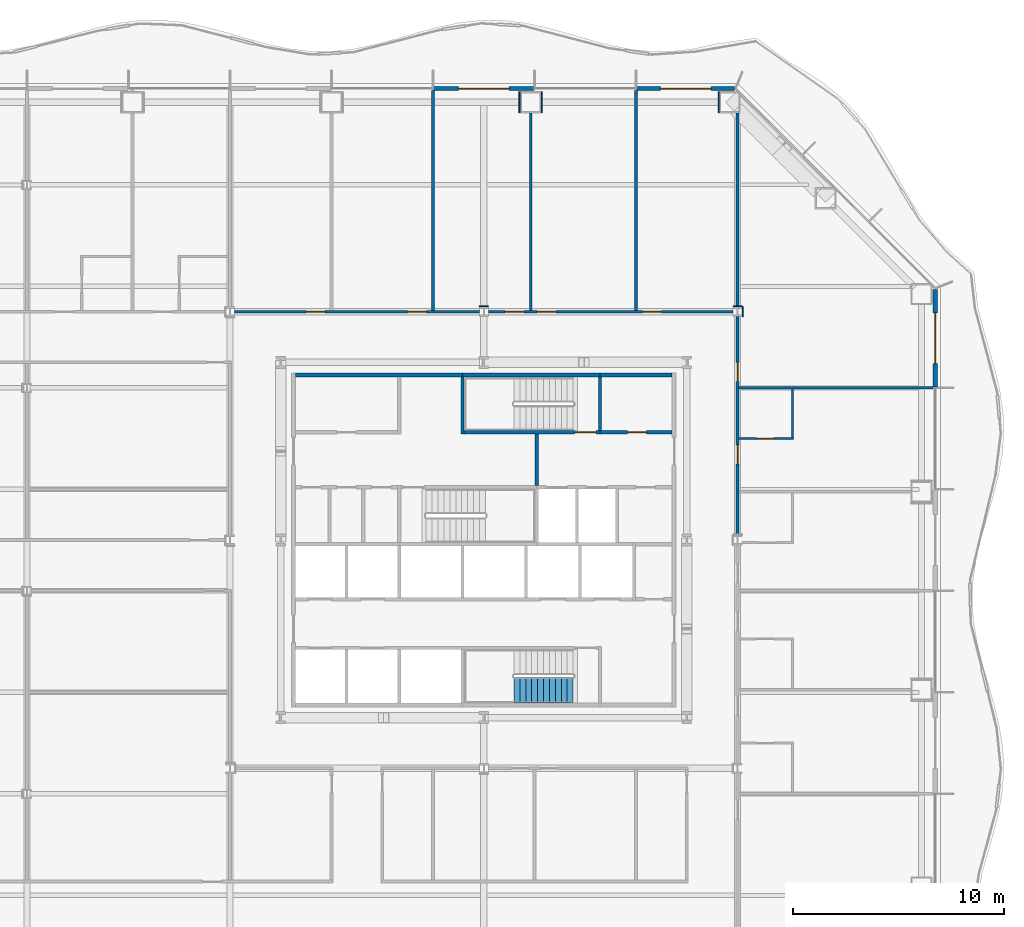
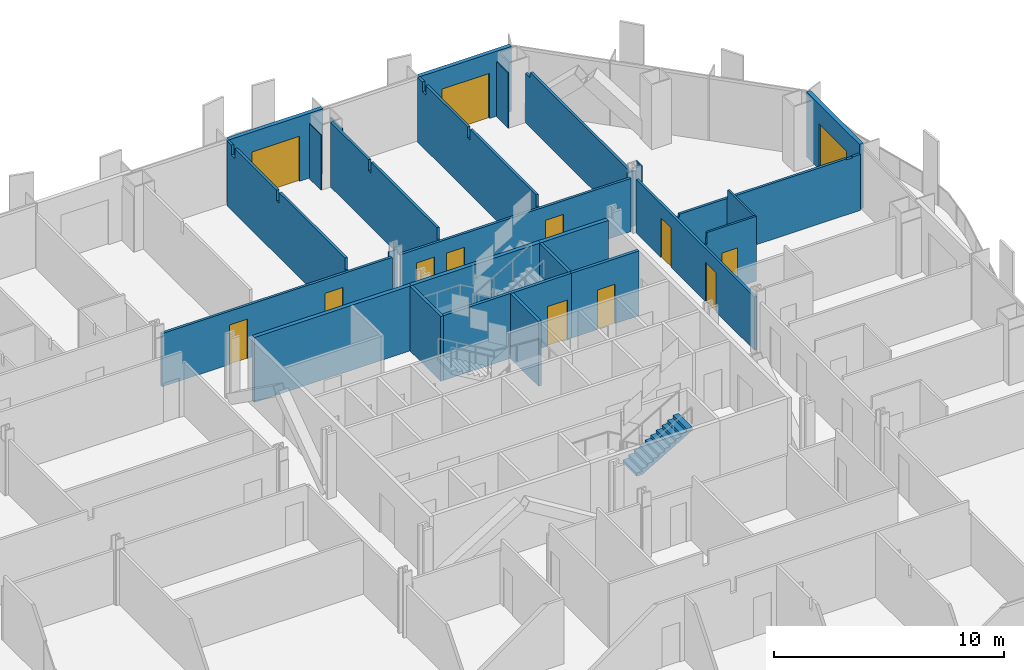
# One storey, part 12 of 20: 27 walls, 13 doors, 1 stair flight, 13 openings, 1 element without a shape of its own.
"""IFC4 building model written with IfcOpenShell, lengths in metres."""

from ifc_helpers import new_model, si_unit, direction, frame, frame_2d, origin, place, context, subcontext, project, spatial, polyline, rectangle, outline, extrude, material, layer, layer_set, type_object, element, fill, aggregate, save


model = new_model("IFC4")

# Units and contexts
model_context = context("Model", 3, precision=1e-05, world=origin(), true_north=direction((0.0, 1.0)))
body_context = subcontext(model_context, "Body", "Model", "MODEL_VIEW")
ifc_project = project(units=[si_unit("LENGTHUNIT", "METRE"), si_unit("AREAUNIT", "SQUARE_METRE"), si_unit("VOLUMEUNIT", "CUBIC_METRE"), si_unit("PLANEANGLEUNIT", "RADIAN"), si_unit("MASSUNIT", "GRAM", prefix="KILO")], contexts=[model_context])

# Site, building, storey
site_placement = place(None, origin())
site = spatial("IfcSite", under=ifc_project, at=site_placement, CompositionType="ELEMENT")
building_placement = place(site_placement, origin())
building = spatial("IfcBuilding", under=site, at=building_placement, Name="Cairn Pilgrim Tower", CompositionType="ELEMENT")
storey_placement = place(building_placement, frame((0.0, 0.0, 61.800048828125)))
storey = spatial("IfcBuildingStorey", under=building, at=storey_placement, Name="L13", CompositionType="ELEMENT", Elevation=61.800048828125)

# Wall, opening, door
ifc_material_1 = material(Name="Bronze anodised aluminium insulated sandwich panel with mineral wool fill", Category="aluminium")
ifc_layer_1 = layer(ifc_material_1, 0.199951171875)
ifc_layer_set_1 = layer_set([ifc_layer_1], Name="BRONZE INFILL FRAME WALL 200")
wall_type_1 = type_object("IfcWallType", Name="BRONZE INFILL FRAME WALL 200", PredefinedType="NOTDEFINED", material=ifc_layer_set_1)
wall_1_placement = place(storey_placement, frame((28.550048828125, 9.6298828125, 0.0), z_axis=(0.0, 0.0, 1.0), x_axis=(0.0, 1.0, 0.0)))
wall_1 = element("IfcWall", 1, at=wall_1_placement, inside=storey, type_object=wall_type_1, Name="Bronze infill frame wall IW-E6", PredefinedType="NOTDEFINED", context=body_context, shape_type="SweptSolid", body=[
    extrude(rectangle(XDim=4.62646484375, YDim=0.199951171875, at=frame_2d((2.313232421875, 0.0))), origin(), (0.0, 0.0, 1.0), 3.449951171875),
])
opening_1_placement = place(wall_1_placement, frame((1.117919921875, 0.0, 0.0)))
opening_1 = element("IfcOpeningElement", 2, at=opening_1_placement, cuts=wall_1, Name="Opening 1328B", PredefinedType="OPENING", context=body_context, shape_type="SweptSolid", body=[
    extrude(rectangle(XDim=2.39990234375, YDim=2.39990234375, at=frame_2d((1.199951171875, 1.199951171875))), frame((0.0, 0.10986328125, 0.0), z_axis=(0.0, -1.0, 0.0), x_axis=(1.0, 0.0, 0.0)), (0.0, 0.0, 1.0), 0.219970703125),
])
ifc_material_2 = material(Name="Bronze anodised aluminium frame with tinted low-E glass", Category="aluminium")
door_type_1 = type_object("IfcDoorType", Name="BALCONY SLIDING DOOR 2400x2400", OperationType="DOUBLE_DOOR_SLIDING", PredefinedType="DOOR", material=ifc_material_2)
door_1_placement = place(opening_1_placement, origin())
door_1 = element("IfcDoor", 3, at=door_1_placement, inside=storey, type_object=door_type_1, Name="Balcony sliding door 1328B", OperationType="SINGLE_SWING_LEFT", OverallHeight=2.39990234375, OverallWidth=2.39990234375, PredefinedType="DOOR", context=body_context, shape_type="SweptSolid", body=[
    extrude(rectangle(XDim=2.39990234375, YDim=2.39990234375, at=frame_2d((1.199951171875, 1.199951171875))), frame((0.0, 0.02490234375, 0.0), z_axis=(0.0, -1.0, 0.0), x_axis=(1.0, 0.0, 0.0)), (0.0, 0.0, 1.0), 0.050048828125),
])
fill(opening_1, door_1)

wall_2_placement = place(storey_placement, frame((19.056396484375, 23.75, 0.0), z_axis=(0.0, 0.0, 1.0), x_axis=(-1.0, 0.0, 0.0)))
wall_2 = element("IfcWall", 4, at=wall_2_placement, inside=storey, type_object=wall_type_1, Name="Bronze infill frame wall IW-N1", PredefinedType="NOTDEFINED", context=body_context, shape_type="SweptSolid", body=[
    extrude(rectangle(XDim=4.62646484375, YDim=0.199951171875, at=frame_2d((2.313232421875, 0.0))), origin(), (0.0, 0.0, 1.0), 3.449951171875),
])
opening_2_placement = place(wall_2_placement, frame((1.108154296875, 0.0, 0.0)))
opening_2 = element("IfcOpeningElement", 5, at=opening_2_placement, cuts=wall_2, Name="Opening 1322B", PredefinedType="OPENING", context=body_context, shape_type="SweptSolid", body=[
    extrude(rectangle(XDim=2.39990234375, YDim=2.39990234375, at=frame_2d((1.199951171875, 1.199951171875))), frame((0.0, 0.10986328125, 0.0), z_axis=(0.0, -1.0, 0.0), x_axis=(1.0, 0.0, 0.0)), (0.0, 0.0, 1.0), 0.219970703125),
])
door_2_placement = place(opening_2_placement, origin())
door_2 = element("IfcDoor", 6, at=door_2_placement, inside=storey, type_object=door_type_1, Name="Balcony sliding door 1322B", OperationType="SINGLE_SWING_LEFT", OverallHeight=2.39990234375, OverallWidth=2.39990234375, PredefinedType="DOOR", context=body_context, shape_type="SweptSolid", body=[
    extrude(rectangle(XDim=2.39990234375, YDim=2.39990234375, at=frame_2d((1.199951171875, 1.199951171875))), frame((0.0, 0.02490234375, 0.0), z_axis=(0.0, -1.0, 0.0), x_axis=(1.0, 0.0, 0.0)), (0.0, 0.0, 1.0), 0.050048828125),
])
fill(opening_2, door_2)

wall_3_placement = place(storey_placement, frame((9.570068359375, 23.75, 0.0), z_axis=(0.0, 0.0, 1.0), x_axis=(-1.0, 0.0, 0.0)))
wall_3 = element("IfcWall", 7, at=wall_3_placement, inside=storey, type_object=wall_type_1, Name="Bronze infill frame wall IW-N3", PredefinedType="NOTDEFINED", context=body_context, shape_type="SweptSolid", body=[
    extrude(rectangle(XDim=4.739990234375, YDim=0.199951171875, at=frame_2d((2.3701171875, 0.0))), origin(), (0.0, 0.0, 1.0), 3.449951171875),
])
opening_3_placement = place(wall_3_placement, frame((1.169921875, 0.0, 0.0)))
opening_3 = element("IfcOpeningElement", 8, at=opening_3_placement, cuts=wall_3, Name="Opening 1320B", PredefinedType="OPENING", context=body_context, shape_type="SweptSolid", body=[
    extrude(rectangle(XDim=2.39990234375, YDim=2.39990234375, at=frame_2d((1.199951171875, 1.199951171875))), frame((0.0, 0.10986328125, 0.0), z_axis=(0.0, -1.0, 0.0), x_axis=(1.0, 0.0, 0.0)), (0.0, 0.0, 1.0), 0.219970703125),
])
door_3_placement = place(opening_3_placement, origin())
door_3 = element("IfcDoor", 9, at=door_3_placement, inside=storey, type_object=door_type_1, Name="Balcony sliding door 1320B", OperationType="SINGLE_SWING_LEFT", OverallHeight=2.39990234375, OverallWidth=2.39990234375, PredefinedType="DOOR", context=body_context, shape_type="SweptSolid", body=[
    extrude(rectangle(XDim=2.39990234375, YDim=2.39990234375, at=frame_2d((1.199951171875, 1.199951171875))), frame((0.0, 0.02490234375, 0.0), z_axis=(0.0, -1.0, 0.0), x_axis=(1.0, 0.0, 0.0)), (0.0, 0.0, 1.0), 0.050048828125),
])
fill(opening_3, door_3)

# Walls
ifc_material_3 = material(Name="Concrete C32/40", Category="concrete")
ifc_layer_2 = layer(ifc_material_3, 0.199951171875)
ifc_layer_set_2 = layer_set([ifc_layer_2], Name="CORE OUTER WALL 200 EI 120")
wall_type_2 = type_object("IfcWallType", Name="CORE OUTER WALL 200 EI 120", PredefinedType="SOLIDWALL", material=ifc_layer_set_2)
wall_4_placement = place(storey_placement, frame((-1.699951171875, 10.199951171875, 0.0), z_axis=(0.0, 0.0, 1.0), x_axis=(1.0, 0.0, 0.0)))
element("IfcWall", 10, at=wall_4_placement, inside=storey, type_object=wall_type_2, Name="CW:L13:H11-1", PredefinedType="SOLIDWALL", context=body_context, shape_type="SweptSolid", body=[
    extrude(rectangle(XDim=7.89990234375, YDim=0.199951171875, at=frame_2d((3.949951171875, 0.0))), origin(), (0.0, 0.0, 1.0), 3.449951171875),
])
wall_5_placement = place(storey_placement, frame((12.699951171875, 10.199951171875, 0.0), z_axis=(0.0, 0.0, 1.0), x_axis=(1.0, 0.0, 0.0)))
element("IfcWall", 11, at=wall_5_placement, inside=storey, type_object=wall_type_2, Name="CW:L13:H11-3", PredefinedType="SOLIDWALL", context=body_context, shape_type="SweptSolid", body=[
    extrude(rectangle(XDim=3.400146484375, YDim=0.199951171875, at=frame_2d((1.7001953125, 0.0))), origin(), (0.0, 0.0, 1.0), 3.449951171875),
])

# Wall, opening, door
ifc_layer_3 = layer(ifc_material_3, 0.14990234375)
ifc_layer_set_3 = layer_set([ifc_layer_3], Name="CORE SHAFT WALL 150 EI 120")
wall_type_3 = type_object("IfcWallType", Name="CORE SHAFT WALL 150 EI 120", PredefinedType="SOLIDWALL", material=ifc_layer_set_3)
wall_6_placement = place(storey_placement, frame((12.699951171875, 7.5, 0.0), z_axis=(0.0, 0.0, 1.0), x_axis=(1.0, 0.0, 0.0)))
wall_6 = element("IfcWall", 12, at=wall_6_placement, inside=storey, type_object=wall_type_3, Name="CW:L13:H10-2", PredefinedType="SOLIDWALL", context=body_context, shape_type="SweptSolid", body=[
    extrude(rectangle(XDim=3.400146484375, YDim=0.14990234375, at=frame_2d((1.7001953125, 0.0))), origin(), (0.0, 0.0, 1.0), 3.449951171875),
])
opening_4_placement = place(wall_6_placement, frame((1.300048828125, 0.0, 0.0)))
opening_4 = element("IfcOpeningElement", 13, at=opening_4_placement, cuts=wall_6, Name="Opening RD-R4E", PredefinedType="OPENING", context=body_context, shape_type="SweptSolid", body=[
    extrude(rectangle(XDim=0.89990234375, YDim=2.10009765625, at=frame_2d((0.449951171875, 1.050048828125))), frame((0.0, 0.0849609375, 0.0), z_axis=(0.0, -1.0, 0.0), x_axis=(1.0, 0.0, 0.0)), (0.0, 0.0, 1.0), 0.169921875),
])
ifc_material_4 = material(Name="Painted steel", Category="steel")
door_type_2 = type_object("IfcDoorType", Name="SERVICE ROOM DOOR 900x2100", OperationType="SINGLE_SWING_LEFT", PredefinedType="DOOR", material=ifc_material_4)
door_4_placement = place(opening_4_placement, origin())
door_4 = element("IfcDoor", 14, at=door_4_placement, inside=storey, type_object=door_type_2, Name="RD-R4E", OperationType="SINGLE_SWING_LEFT", OverallHeight=2.10009765625, OverallWidth=0.89990234375, PredefinedType="DOOR", context=body_context, shape_type="SweptSolid", body=[
    extrude(rectangle(XDim=0.89990234375, YDim=2.10009765625, at=frame_2d((0.449951171875, 1.050048828125))), frame((0.0, 0.02490234375, 0.0), z_axis=(0.0, -1.0, 0.0), x_axis=(1.0, 0.0, 0.0)), (0.0, 0.0, 1.0), 0.050048828125),
])
fill(opening_4, door_4)

# Wall
wall_7_placement = place(storey_placement, frame((9.699951171875, 4.97509765625, 0.0), z_axis=(0.0, 0.0, 1.0), x_axis=(0.0, 1.0, 0.0)))
element("IfcWall", 15, at=wall_7_placement, inside=storey, type_object=wall_type_3, Name="CW:L13:V26", PredefinedType="SOLIDWALL", context=body_context, shape_type="SweptSolid", body=[
    extrude(rectangle(XDim=2.449951171875, YDim=0.14990234375, at=frame_2d((1.22509765625, 0.0))), origin(), (0.0, 0.0, 1.0), 3.449951171875),
])

# Wall, opening, door
ifc_material_5 = material(Name="Gypsum partition")
ifc_layer_4 = layer(ifc_material_5, 0.10009765625)
ifc_layer_set_4 = layer_set([ifc_layer_4], Name="PARTITION 100 DRYWALL")
wall_type_4 = type_object("IfcWallType", Name="PARTITION 100 DRYWALL", PredefinedType="PARTITIONING", material=ifc_layer_set_4)
wall_8_placement = place(storey_placement, frame((19.262451171875, 7.199951171875, 0.0), z_axis=(0.0, 0.0, 1.0), x_axis=(1.0, 0.0, 0.0)))
wall_8 = element("IfcWall", 16, at=wall_8_placement, inside=storey, type_object=wall_type_4, Name="PARTITION W056", PredefinedType="PARTITIONING", context=body_context, shape_type="SweptSolid", body=[
    extrude(outline(polyline([(0.0, 0.0), (2.587646484375, 0.0), (2.58740234375, 3.449951171875), (0.08740234375, 3.449951171875), (0.08544921875, 2.829833984375), (0.0, 2.829833984375), (0.0, 0.0)])), frame((0.0, 0.050048828125, 0.0), z_axis=(0.0, -1.0, 0.0), x_axis=(1.0, 0.0, 0.0)), (0.0, 0.0, 1.0), 0.10009765625),
])
opening_5_placement = place(wall_8_placement, frame((0.83740234375, 0.0, 0.0)))
opening_5 = element("IfcOpeningElement", 17, at=opening_5_placement, cuts=wall_8, Name="Opening 1327E", PredefinedType="OPENING", context=body_context, shape_type="SweptSolid", body=[
    extrude(rectangle(XDim=0.800048828125, YDim=2.10009765625, at=frame_2d((0.39990234375, 1.050048828125))), frame((0.0, 0.06005859375, 0.0), z_axis=(0.0, -1.0, 0.0), x_axis=(1.0, 0.0, 0.0)), (0.0, 0.0, 1.0), 0.1201171875),
])
ifc_material_6 = material(Name="Timber door leaf", Category="wood")
door_type_3 = type_object("IfcDoorType", Name="DOOR 800x2100", OperationType="NOTDEFINED", PredefinedType="DOOR", material=ifc_material_6)
door_5_placement = place(opening_5_placement, origin())
door_5 = element("IfcDoor", 18, at=door_5_placement, inside=storey, type_object=door_type_3, Name="DOOR 1327E", OperationType="SINGLE_SWING_RIGHT", OverallHeight=2.10009765625, OverallWidth=0.800048828125, PredefinedType="DOOR", context=body_context, shape_type="SweptSolid", body=[
    extrude(rectangle(XDim=0.800048828125, YDim=2.10009765625, at=frame_2d((0.39990234375, 1.050048828125))), frame((0.0, 0.02490234375, 0.0), z_axis=(0.0, -1.0, 0.0), x_axis=(1.0, 0.0, 0.0)), (0.0, 0.0, 1.0), 0.050048828125),
])
fill(opening_5, door_5)

# Wall
wall_9_placement = place(storey_placement, frame((21.800048828125, 7.25, 0.0), z_axis=(0.0, 0.0, 1.0), x_axis=(0.0, 1.0, 0.0)))
element("IfcWall", 19, at=wall_9_placement, inside=storey, type_object=wall_type_4, Name="PARTITION W057", PredefinedType="PARTITIONING", context=body_context, shape_type="SweptSolid", body=[
    extrude(outline(polyline([(0.0, 0.0), (2.28759765625, 0.0), (2.28759765625, 2.97998046875), (2.2548828125, 2.97998046875), (2.2529296875, 3.449951171875), (0.0, 3.449951171875), (0.0, 0.0)])), frame((0.0, 0.050048828125, 0.0), z_axis=(0.0, -1.0, 0.0), x_axis=(1.0, 0.0, 0.0)), (0.0, 0.0, 1.0), 0.10009765625),
])

# Wall, openings, doors
ifc_layer_5 = layer(ifc_material_5, 0.125)
ifc_layer_set_5 = layer_set([ifc_layer_5], Name="PARTITION 125 DRYWALL EI 60")
wall_type_5 = type_object("IfcWallType", Name="PARTITION 125 DRYWALL EI 60", PredefinedType="PARTITIONING", material=ifc_layer_set_5)
wall_10_placement = place(storey_placement, frame((19.199951171875, 2.636962890625, 0.0), z_axis=(0.0, 0.0, 1.0), x_axis=(0.0, 1.0, 0.0)))
wall_10 = element("IfcWall", 20, at=wall_10_placement, inside=storey, type_object=wall_type_5, Name="PARTITION W052", PredefinedType="PARTITIONING", context=body_context, shape_type="SweptSolid", body=[
    extrude(rectangle(XDim=10.325927734375, YDim=0.125, at=frame_2d((5.1630859375, 0.0))), origin(), (0.0, 0.0, 1.0), 2.829833984375),
])
opening_6_placement = place(wall_10_placement, frame((3.363037109375, 0.0, 0.0)))
opening_6 = element("IfcOpeningElement", 21, at=opening_6_placement, cuts=wall_10, Name="Opening 1327", PredefinedType="OPENING", context=body_context, shape_type="SweptSolid", body=[
    extrude(rectangle(XDim=0.89990234375, YDim=2.10009765625, at=frame_2d((0.449951171875, 1.050048828125))), frame((0.0, 0.072509765625, 0.0), z_axis=(0.0, -1.0, 0.0), x_axis=(1.0, 0.0, 0.0)), (0.0, 0.0, 1.0), 0.14501953125),
])
opening_7_placement = place(wall_10_placement, frame((7.262939453125, 0.0, 0.0)))
opening_7 = element("IfcOpeningElement", 22, at=opening_7_placement, cuts=wall_10, Name="Opening 1328", PredefinedType="OPENING", context=body_context, shape_type="SweptSolid", body=[
    extrude(rectangle(XDim=0.89990234375, YDim=2.10009765625, at=frame_2d((0.449951171875, 1.050048828125))), frame((0.0, 0.072509765625, 0.0), z_axis=(0.0, -1.0, 0.0), x_axis=(1.0, 0.0, 0.0)), (0.0, 0.0, 1.0), 0.14501953125),
])
ifc_material_7 = material(Name="Steel-faced fire door leaf", Category="steel")
door_type_4 = type_object("IfcDoorType", Name="FIRE DOOR 900x2100 FD30S", OperationType="NOTDEFINED", PredefinedType="DOOR", material=ifc_material_7)
door_6_placement = place(opening_6_placement, frame((0.89990234375, 0.0, 0.0), z_axis=(0.0, 0.0, 1.0), x_axis=(-1.0, 0.0, 0.0)))
door_6 = element("IfcDoor", 23, at=door_6_placement, inside=storey, type_object=door_type_4, Name="DOOR 1327", OperationType="SINGLE_SWING_LEFT", OverallHeight=2.10009765625, OverallWidth=0.89990234375, PredefinedType="DOOR", context=body_context, shape_type="SweptSolid", body=[
    extrude(rectangle(XDim=0.89990234375, YDim=2.10009765625, at=frame_2d((0.449951171875, 1.050048828125))), frame((0.0, 0.02490234375, 0.0), z_axis=(0.0, -1.0, 0.0), x_axis=(1.0, 0.0, 0.0)), (0.0, 0.0, 1.0), 0.050048828125),
])
fill(opening_6, door_6)
door_7_placement = place(opening_7_placement, frame((0.89990234375, 0.0, 0.0), z_axis=(0.0, 0.0, 1.0), x_axis=(-1.0, 0.0, 0.0)))
door_7 = element("IfcDoor", 24, at=door_7_placement, inside=storey, type_object=door_type_4, Name="DOOR 1328", OperationType="SINGLE_SWING_LEFT", OverallHeight=2.10009765625, OverallWidth=0.89990234375, PredefinedType="DOOR", context=body_context, shape_type="SweptSolid", body=[
    extrude(rectangle(XDim=0.89990234375, YDim=2.10009765625, at=frame_2d((0.449951171875, 1.050048828125))), frame((0.0, 0.02490234375, 0.0), z_axis=(0.0, -1.0, 0.0), x_axis=(1.0, 0.0, 0.0)), (0.0, 0.0, 1.0), 0.050048828125),
])
fill(opening_7, door_7)

# Wall
wall_11_placement = place(storey_placement, frame((19.262451171875, 9.60009765625, 0.0), z_axis=(0.0, 0.0, 1.0), x_axis=(1.0, 0.0, 0.0)))
element("IfcWall", 25, at=wall_11_placement, inside=storey, type_object=wall_type_5, Name="PARTITION W059", PredefinedType="PARTITIONING", context=body_context, shape_type="SweptSolid", body=[
    extrude(outline(polyline([(0.0, 0.0), (9.1875, 0.0), (9.1875, 2.97998046875), (8.78759765625, 2.97998046875), (8.785400390625, 2.929931640625), (8.487548828125, 2.929931640625), (8.485595703125, 2.97998046875), (0.08740234375, 2.97998046875), (0.08544921875, 2.829833984375), (0.0, 2.829833984375), (0.0, 0.0)])), frame((0.0, 0.0625, 0.0), z_axis=(0.0, -1.0, 0.0), x_axis=(1.0, 0.0, 0.0)), (0.0, 0.0, 1.0), 0.125),
])

# Wall, openings, doors
wall_12_placement = place(storey_placement, frame((-4.587890625, 13.199951171875, 0.0), z_axis=(0.0, 0.0, 1.0), x_axis=(1.0, 0.0, 0.0)))
wall_12 = element("IfcWall", 26, at=wall_12_placement, inside=storey, type_object=wall_type_5, Name="PARTITION W063", PredefinedType="PARTITIONING", context=body_context, shape_type="SweptSolid", body=[
    extrude(rectangle(XDim=11.575927734375, YDim=0.125, at=frame_2d((5.7880859375, 0.0))), origin(), (0.0, 0.0, 1.0), 2.829833984375),
])
opening_8_placement = place(wall_12_placement, frame((3.387939453125, 0.0, 0.0)))
opening_8 = element("IfcOpeningElement", 27, at=opening_8_placement, cuts=wall_12, Name="Opening 1318", PredefinedType="OPENING", context=body_context, shape_type="SweptSolid", body=[
    extrude(rectangle(XDim=0.89990234375, YDim=2.10009765625, at=frame_2d((0.449951171875, 1.050048828125))), frame((0.0, 0.072509765625, 0.0), z_axis=(0.0, -1.0, 0.0), x_axis=(1.0, 0.0, 0.0)), (0.0, 0.0, 1.0), 0.14501953125),
])
opening_9_placement = place(wall_12_placement, frame((8.18798828125, 0.0, 0.0)))
opening_9 = element("IfcOpeningElement", 28, at=opening_9_placement, cuts=wall_12, Name="Opening 1319", PredefinedType="OPENING", context=body_context, shape_type="SweptSolid", body=[
    extrude(rectangle(XDim=0.89990234375, YDim=2.10009765625, at=frame_2d((0.449951171875, 1.050048828125))), frame((0.0, 0.072509765625, 0.0), z_axis=(0.0, -1.0, 0.0), x_axis=(1.0, 0.0, 0.0)), (0.0, 0.0, 1.0), 0.14501953125),
])
door_8_placement = place(opening_8_placement, origin())
door_8 = element("IfcDoor", 29, at=door_8_placement, inside=storey, type_object=door_type_4, Name="DOOR 1318", OperationType="SINGLE_SWING_LEFT", OverallHeight=2.10009765625, OverallWidth=0.89990234375, PredefinedType="DOOR", context=body_context, shape_type="SweptSolid", body=[
    extrude(rectangle(XDim=0.89990234375, YDim=2.10009765625, at=frame_2d((0.449951171875, 1.050048828125))), frame((0.0, 0.02490234375, 0.0), z_axis=(0.0, -1.0, 0.0), x_axis=(1.0, 0.0, 0.0)), (0.0, 0.0, 1.0), 0.050048828125),
])
fill(opening_8, door_8)
door_9_placement = place(opening_9_placement, origin())
door_9 = element("IfcDoor", 30, at=door_9_placement, inside=storey, type_object=door_type_4, Name="DOOR 1319", OperationType="SINGLE_SWING_RIGHT", OverallHeight=2.10009765625, OverallWidth=0.89990234375, PredefinedType="DOOR", context=body_context, shape_type="SweptSolid", body=[
    extrude(rectangle(XDim=0.89990234375, YDim=2.10009765625, at=frame_2d((0.449951171875, 1.050048828125))), frame((0.0, 0.02490234375, 0.0), z_axis=(0.0, -1.0, 0.0), x_axis=(1.0, 0.0, 0.0)), (0.0, 0.0, 1.0), 0.050048828125),
])
fill(opening_9, door_9)

wall_13_placement = place(storey_placement, frame((7.412109375, 13.199951171875, 0.0), z_axis=(0.0, 0.0, 1.0), x_axis=(1.0, 0.0, 0.0)))
wall_13 = element("IfcWall", 31, at=wall_13_placement, inside=storey, type_object=wall_type_5, Name="PARTITION W064", PredefinedType="PARTITIONING", context=body_context, shape_type="SweptSolid", body=[
    extrude(rectangle(XDim=11.575927734375, YDim=0.125, at=frame_2d((5.7880859375, 0.0))), origin(), (0.0, 0.0, 1.0), 2.829833984375),
])
opening_10_placement = place(wall_13_placement, frame((0.7880859375, 0.0, 0.0)))
opening_10 = element("IfcOpeningElement", 32, at=opening_10_placement, cuts=wall_13, Name="Opening 1320", PredefinedType="OPENING", context=body_context, shape_type="SweptSolid", body=[
    extrude(rectangle(XDim=0.89990234375, YDim=2.10009765625, at=frame_2d((0.449951171875, 1.050048828125))), frame((0.0, 0.072509765625, 0.0), z_axis=(0.0, -1.0, 0.0), x_axis=(1.0, 0.0, 0.0)), (0.0, 0.0, 1.0), 0.14501953125),
])
opening_11_placement = place(wall_13_placement, frame((2.302001953125, 0.0, 0.0)))
opening_11 = element("IfcOpeningElement", 33, at=opening_11_placement, cuts=wall_13, Name="Opening 1321", PredefinedType="OPENING", context=body_context, shape_type="SweptSolid", body=[
    extrude(rectangle(XDim=0.89990234375, YDim=2.10009765625, at=frame_2d((0.449951171875, 1.050048828125))), frame((0.0, 0.072509765625, 0.0), z_axis=(0.0, -1.0, 0.0), x_axis=(1.0, 0.0, 0.0)), (0.0, 0.0, 1.0), 0.14501953125),
])
opening_12_placement = place(wall_13_placement, frame((7.2880859375, 0.0, 0.0)))
opening_12 = element("IfcOpeningElement", 34, at=opening_12_placement, cuts=wall_13, Name="Opening 1322", PredefinedType="OPENING", context=body_context, shape_type="SweptSolid", body=[
    extrude(rectangle(XDim=0.89990234375, YDim=2.10009765625, at=frame_2d((0.449951171875, 1.050048828125))), frame((0.0, 0.072509765625, 0.0), z_axis=(0.0, -1.0, 0.0), x_axis=(1.0, 0.0, 0.0)), (0.0, 0.0, 1.0), 0.14501953125),
])
door_10_placement = place(opening_10_placement, origin())
door_10 = element("IfcDoor", 35, at=door_10_placement, inside=storey, type_object=door_type_4, Name="DOOR 1320", OperationType="SINGLE_SWING_LEFT", OverallHeight=2.10009765625, OverallWidth=0.89990234375, PredefinedType="DOOR", context=body_context, shape_type="SweptSolid", body=[
    extrude(rectangle(XDim=0.89990234375, YDim=2.10009765625, at=frame_2d((0.449951171875, 1.050048828125))), frame((0.0, 0.02490234375, 0.0), z_axis=(0.0, -1.0, 0.0), x_axis=(1.0, 0.0, 0.0)), (0.0, 0.0, 1.0), 0.050048828125),
])
fill(opening_10, door_10)
door_11_placement = place(opening_11_placement, origin())
door_11 = element("IfcDoor", 36, at=door_11_placement, inside=storey, type_object=door_type_4, Name="DOOR 1321", OperationType="SINGLE_SWING_RIGHT", OverallHeight=2.10009765625, OverallWidth=0.89990234375, PredefinedType="DOOR", context=body_context, shape_type="SweptSolid", body=[
    extrude(rectangle(XDim=0.89990234375, YDim=2.10009765625, at=frame_2d((0.449951171875, 1.050048828125))), frame((0.0, 0.02490234375, 0.0), z_axis=(0.0, -1.0, 0.0), x_axis=(1.0, 0.0, 0.0)), (0.0, 0.0, 1.0), 0.050048828125),
])
fill(opening_11, door_11)
door_12_placement = place(opening_12_placement, origin())
door_12 = element("IfcDoor", 37, at=door_12_placement, inside=storey, type_object=door_type_4, Name="DOOR 1322", OperationType="SINGLE_SWING_LEFT", OverallHeight=2.10009765625, OverallWidth=0.89990234375, PredefinedType="DOOR", context=body_context, shape_type="SweptSolid", body=[
    extrude(rectangle(XDim=0.89990234375, YDim=2.10009765625, at=frame_2d((0.449951171875, 1.050048828125))), frame((0.0, 0.02490234375, 0.0), z_axis=(0.0, -1.0, 0.0), x_axis=(1.0, 0.0, 0.0)), (0.0, 0.0, 1.0), 0.050048828125),
])
fill(opening_12, door_12)

# Walls
wall_14_placement = place(storey_placement, frame((4.800048828125, 13.262451171875, 0.0), z_axis=(0.0, 0.0, 1.0), x_axis=(0.0, 1.0, 0.0)))
element("IfcWall", 38, at=wall_14_placement, inside=storey, type_object=wall_type_5, Name="PARTITION W071", PredefinedType="PARTITIONING", context=body_context, shape_type="SweptSolid", body=[
    extrude(outline(polyline([(0.0, 0.0), (10.387451171875, 0.0), (10.387451171875, 3.449951171875), (9.987548828125, 3.449951171875), (9.985595703125, 2.929931640625), (9.6875, 2.929931640625), (9.685546875, 3.449951171875), (6.04248046875, 3.449951171875), (6.04052734375, 2.8798828125), (5.83251953125, 2.8798828125), (5.83056640625, 3.449951171875), (0.08740234375, 3.449951171875), (0.08544921875, 2.829833984375), (0.0, 2.829833984375), (0.0, 0.0)])), frame((0.0, 0.0625, 0.0), z_axis=(0.0, -1.0, 0.0), x_axis=(1.0, 0.0, 0.0)), (0.0, 0.0, 1.0), 0.125),
])
wall_15_placement = place(storey_placement, frame((9.4140625, 13.262451171875, 0.0), z_axis=(0.0, 0.0, 1.0), x_axis=(0.0, 1.0, 0.0)))
element("IfcWall", 39, at=wall_15_placement, inside=storey, type_object=wall_type_5, Name="PARTITION W072", PredefinedType="PARTITIONING", context=body_context, shape_type="SweptSolid", body=[
    extrude(outline(polyline([(0.0, 0.0), (9.337646484375, 0.0), (9.33740234375, 3.449951171875), (6.04248046875, 3.449951171875), (6.04052734375, 2.8798828125), (5.83251953125, 2.8798828125), (5.83056640625, 3.449951171875), (0.08740234375, 3.449951171875), (0.08544921875, 2.829833984375), (0.0, 2.829833984375), (0.0, 0.0)])), frame((0.0, 0.0625, 0.0), z_axis=(0.0, -1.0, 0.0), x_axis=(1.0, 0.0, 0.0)), (0.0, 0.0, 1.0), 0.125),
])
wall_16_placement = place(storey_placement, frame((14.39990234375, 13.262451171875, 0.0), z_axis=(0.0, 0.0, 1.0), x_axis=(0.0, 1.0, 0.0)))
element("IfcWall", 40, at=wall_16_placement, inside=storey, type_object=wall_type_5, Name="PARTITION W073", PredefinedType="PARTITIONING", context=body_context, shape_type="SweptSolid", body=[
    extrude(outline(polyline([(0.0, 0.0), (10.387451171875, 0.0), (10.387451171875, 3.449951171875), (9.987548828125, 3.449951171875), (9.985595703125, 2.929931640625), (9.6875, 2.929931640625), (9.685546875, 3.449951171875), (6.04248046875, 3.449951171875), (6.04052734375, 2.8798828125), (5.83251953125, 2.8798828125), (5.83056640625, 3.449951171875), (0.08740234375, 3.449951171875), (0.08544921875, 2.829833984375), (0.0, 2.829833984375), (0.0, 0.0)])), frame((0.0, 0.0625, 0.0), z_axis=(0.0, -1.0, 0.0), x_axis=(1.0, 0.0, 0.0)), (0.0, 0.0, 1.0), 0.125),
])
wall_17_placement = place(storey_placement, frame((19.199951171875, 13.43701171875, 0.0), z_axis=(0.0, 0.0, 1.0), x_axis=(0.0, 1.0, 0.0)))
element("IfcWall", 41, at=wall_17_placement, inside=storey, type_object=wall_type_5, Name="PARTITION W075", PredefinedType="PARTITIONING", context=body_context, shape_type="SweptSolid", body=[
    extrude(outline(polyline([(0.0, 0.0), (9.1630859375, 0.0), (9.1630859375, 2.6298828125), (8.732666015625, 2.6298828125), (8.730712890625, 2.929931640625), (0.0, 2.929931640625), (0.0, 0.0)])), frame((0.0, 0.0625, 0.0), z_axis=(0.0, -1.0, 0.0), x_axis=(1.0, 0.0, 0.0)), (0.0, 0.0, 1.0), 0.125),
])
ifc_layer_6 = layer(ifc_material_5, 0.050048828125)
ifc_layer_set_6 = layer_set([ifc_layer_6], Name="PARTITION 50 DRYWALL EI 60")
wall_type_6 = type_object("IfcWallType", Name="PARTITION 50 DRYWALL EI 60", PredefinedType="PARTITIONING", material=ifc_layer_set_6)
wall_18_placement = place(storey_placement, frame((19.43701171875, 12.962890625, 0.0), z_axis=(0.0, 0.0, 1.0), x_axis=(0.0, 1.0, 0.0)))
element("IfcWall", 42, at=wall_18_placement, inside=storey, type_object=wall_type_6, Name="COLUMN CASING WC11", PredefinedType="PARTITIONING", context=body_context, shape_type="SweptSolid", body=[
    extrude(rectangle(XDim=0.47412109375, YDim=0.050048828125, at=frame_2d((0.237060546875, 0.0))), origin(), (0.0, 0.0, 1.0), 3.449951171875),
])
for number, where, z_axis, x_axis, name in (
    (43, (6.988037109375, 13.4619140625, 0.0), (0.0, 0.0, 1.0), (1.0, 0.0, 0.0), "COLUMN CASING WC31"),
    (44, (18.988037109375, 13.4619140625, 0.0), (0.0, 0.0, 1.0), (1.0, 0.0, 0.0), "COLUMN CASING WC32"),
):
    element("IfcWall", number, at=place(storey_placement, frame(where, z_axis=z_axis, x_axis=x_axis)), inside=storey, type_object=wall_type_6, Name=name, PredefinedType="PARTITIONING", context=body_context, shape_type="SweptSolid", body=[
        extrude(rectangle(XDim=0.424072265625, YDim=0.050048828125, at=frame_2d((0.2119140625, 0.0))), origin(), (0.0, 0.0, 1.0), 2.929931640625),
    ])
for number, where, z_axis, x_axis, name in (
    (45, (18.30224609375, 22.60009765625, 0.0), (0.0, 0.0, 1.0), (0.0, 1.0, 0.0), "COLUMN CASING WC33"),
    (46, (8.888671875, 22.60009765625, 0.0), (0.0, 0.0, 1.0), (0.0, 1.0, 0.0), "COLUMN CASING WC40"),
    (47, (9.938720703125, 22.60009765625, 0.0), (0.0, 0.0, 1.0), (0.0, 1.0, 0.0), "COLUMN CASING WC41"),
):
    element("IfcWall", number, at=place(storey_placement, frame(where, z_axis=z_axis, x_axis=x_axis)), inside=storey, type_object=wall_type_6, Name=name, PredefinedType="PARTITIONING", context=body_context, shape_type="SweptSolid", body=[
        extrude(rectangle(XDim=1.0, YDim=0.050048828125, at=frame_2d((0.5, 0.0))), origin(), (0.0, 0.0, 1.0), 2.929931640625),
    ])

# Wall, opening, door
ifc_material_8 = material(Name="Concrete C35/45", Category="concrete")
ifc_layer_7 = layer(ifc_material_8, 0.14990234375)
ifc_layer_set_7 = layer_set([ifc_layer_7], Name="STAIR SHAFT WALL 150 EI 120")
wall_type_7 = type_object("IfcWallType", Name="STAIR SHAFT WALL 150 EI 120", PredefinedType="SOLIDWALL", material=ifc_layer_set_7)
wall_19_placement = place(storey_placement, frame((6.27490234375, 7.5, 0.0), z_axis=(0.0, 0.0, 1.0), x_axis=(1.0, 0.0, 0.0)))
wall_19 = element("IfcWall", 48, at=wall_19_placement, inside=storey, type_object=wall_type_7, Name="CW:L13:H10-1", PredefinedType="SOLIDWALL", context=body_context, shape_type="SweptSolid", body=[
    extrude(rectangle(XDim=6.425048828125, YDim=0.14990234375, at=frame_2d((3.21240234375, 0.0))), origin(), (0.0, 0.0, 1.0), 3.449951171875),
])
opening_13_placement = place(wall_19_placement, frame((5.22509765625, 0.0, 0.0)))
opening_13 = element("IfcOpeningElement", 49, at=opening_13_placement, cuts=wall_19, Name="Opening SD-C", PredefinedType="OPENING", context=body_context, shape_type="SweptSolid", body=[
    extrude(rectangle(XDim=1.0, YDim=2.10009765625, at=frame_2d((0.5, 1.050048828125))), frame((0.0, 0.0849609375, 0.0), z_axis=(0.0, -1.0, 0.0), x_axis=(1.0, 0.0, 0.0)), (0.0, 0.0, 1.0), 0.169921875),
])
door_type_5 = type_object("IfcDoorType", Name="STAIR DOOR FD60S 1000x2100", OperationType="SINGLE_SWING_LEFT", PredefinedType="DOOR", material=ifc_material_4)
door_13_placement = place(opening_13_placement, origin())
door_13 = element("IfcDoor", 50, at=door_13_placement, inside=storey, type_object=door_type_5, Name="SD-C", OperationType="SINGLE_SWING_RIGHT", OverallHeight=2.10009765625, OverallWidth=1.0, PredefinedType="DOOR", context=body_context, shape_type="SweptSolid", body=[
    extrude(rectangle(XDim=1.0, YDim=2.10009765625, at=frame_2d((0.5, 1.050048828125))), frame((0.0, 0.02490234375, 0.0), z_axis=(0.0, -1.0, 0.0), x_axis=(1.0, 0.0, 0.0)), (0.0, 0.0, 1.0), 0.050048828125),
])
fill(opening_13, door_13)

# Walls
wall_20_placement = place(storey_placement, frame((6.199951171875, 7.425048828125, 0.0), z_axis=(0.0, 0.0, 1.0), x_axis=(0.0, 1.0, 0.0)))
element("IfcWall", 51, at=wall_20_placement, inside=storey, type_object=wall_type_7, Name="CW:L13:V23", PredefinedType="SOLIDWALL", context=body_context, shape_type="SweptSolid", body=[
    extrude(rectangle(XDim=2.675048828125, YDim=0.14990234375, at=frame_2d((1.33740234375, 0.0))), origin(), (0.0, 0.0, 1.0), 3.449951171875),
])
wall_21_placement = place(storey_placement, frame((12.699951171875, 7.574951171875, 0.0), z_axis=(0.0, 0.0, 1.0), x_axis=(0.0, 1.0, 0.0)))
element("IfcWall", 52, at=wall_21_placement, inside=storey, type_object=wall_type_7, Name="CW:L13:V30", PredefinedType="SOLIDWALL", context=body_context, shape_type="SweptSolid", body=[
    extrude(rectangle(XDim=2.525146484375, YDim=0.14990234375, at=frame_2d((1.2626953125, 0.0))), origin(), (0.0, 0.0, 1.0), 3.449951171875),
])
ifc_layer_8 = layer(ifc_material_8, 0.199951171875)
ifc_layer_set_8 = layer_set([ifc_layer_8], Name="STAIR SHAFT WALL 200 EI 120")
wall_type_8 = type_object("IfcWallType", Name="STAIR SHAFT WALL 200 EI 120", PredefinedType="SOLIDWALL", material=ifc_layer_set_8)
wall_22_placement = place(storey_placement, frame((6.199951171875, 10.199951171875, 0.0), z_axis=(0.0, 0.0, 1.0), x_axis=(1.0, 0.0, 0.0)))
element("IfcWall", 53, at=wall_22_placement, inside=storey, type_object=wall_type_8, Name="CW:L13:H11-2", PredefinedType="SOLIDWALL", context=body_context, shape_type="SweptSolid", body=[
    extrude(rectangle(XDim=6.5, YDim=0.199951171875, at=frame_2d((3.25, 0.0))), origin(), (0.0, 0.0, 1.0), 3.449951171875),
])

# Stair, stair flight
stair_type = type_object("IfcStairType", Name="EXIT STAIR 1200", PredefinedType="HALF_TURN_STAIR", material=ifc_material_3)
stair_placement = place(storey_placement, origin())
stair = element("IfcStair", 54, at=stair_placement, inside=storey, type_object=stair_type, Name="L13 Exit Stair A", PredefinedType="HALF_TURN_STAIR")
stair_flight_type = type_object("IfcStairFlightType", Name="STAIR FLIGHT 1200", PredefinedType="STRAIGHT", material=ifc_material_3)
stair_flight_placement = place(storey_placement, frame((8.625, -4.699951171875, 1.800048828125), z_axis=(0.0, 0.0, 1.0), x_axis=(1.0, 0.0, 0.0)))
stair_flight = element("IfcStairFlight", 55, at=stair_flight_placement, type_object=stair_flight_type, Name="ST-A flight 2", NumberOfRisers=11, NumberOfTreads=10, PredefinedType="STRAIGHT", RiserHeight=0.163636364, TreadLength=0.28, context=body_context, shape_type="SweptSolid", body=[
    extrude(outline(polyline([(0.0, 0.0), (0.0, 0.16357421875), (0.280029296875, 0.16357421875), (0.280029296875, 0.327392578125), (0.56005859375, 0.327392578125), (0.56005859375, 0.490966796875), (0.840087890625, 0.490966796875), (0.840087890625, 0.654541015625), (1.1201171875, 0.654541015625), (1.1201171875, 0.818115234375), (1.39990234375, 0.818115234375), (1.39990234375, 0.98193359375), (1.679931640625, 0.98193359375), (1.679931640625, 1.1455078125), (1.9599609375, 1.1455078125), (1.9599609375, 1.30908203125), (2.239990234375, 1.30908203125), (2.239990234375, 1.47265625), (2.52001953125, 1.47265625), (2.52001953125, 1.636474609375), (2.800048828125, 1.636474609375), (2.800048828125, 1.800048828125), (2.800048828125, 1.462646484375), (0.297119140625, 0.0), (0.0, 0.0)])), frame((0.0, 0.60009765625, 0.0), z_axis=(0.0, -1.0, 0.0), x_axis=(1.0, 0.0, 0.0)), (0.0, 0.0, 1.0), 1.199951171875),
])
aggregate(stair, [stair_flight])

save(model, "model.ifc")
